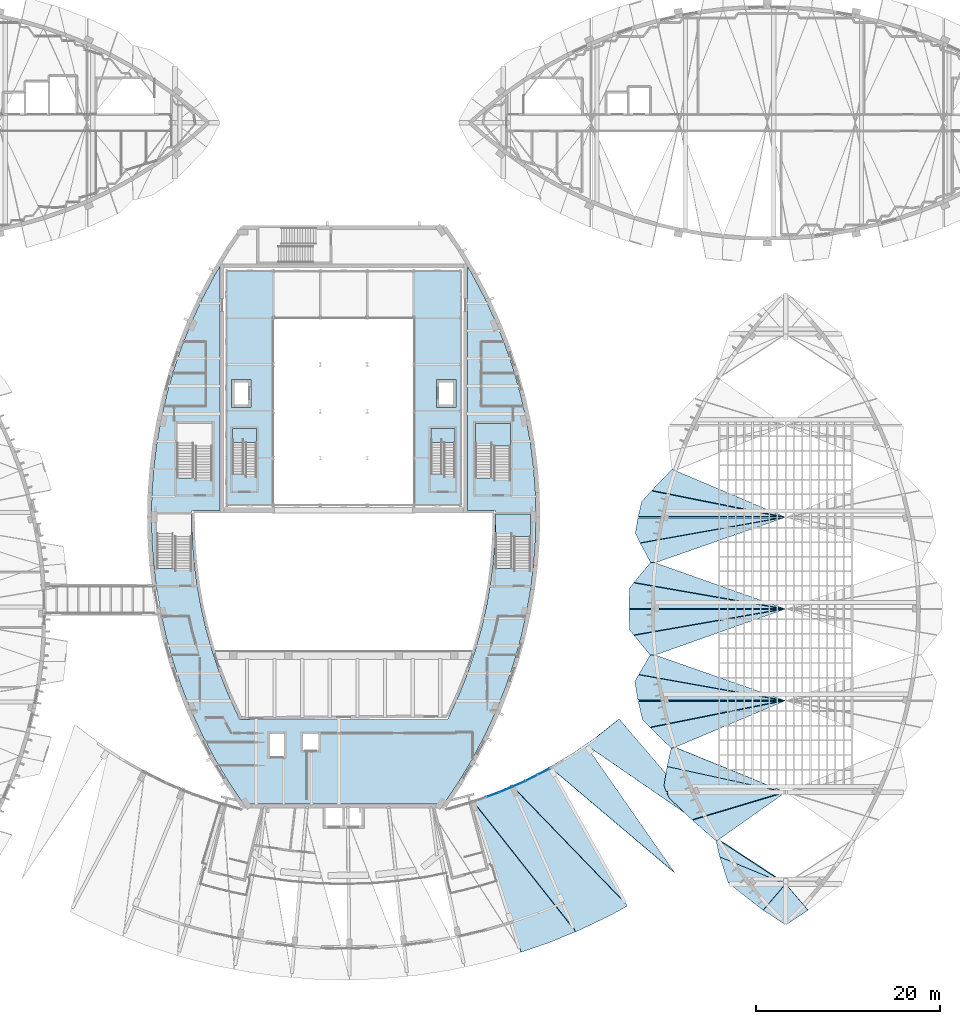
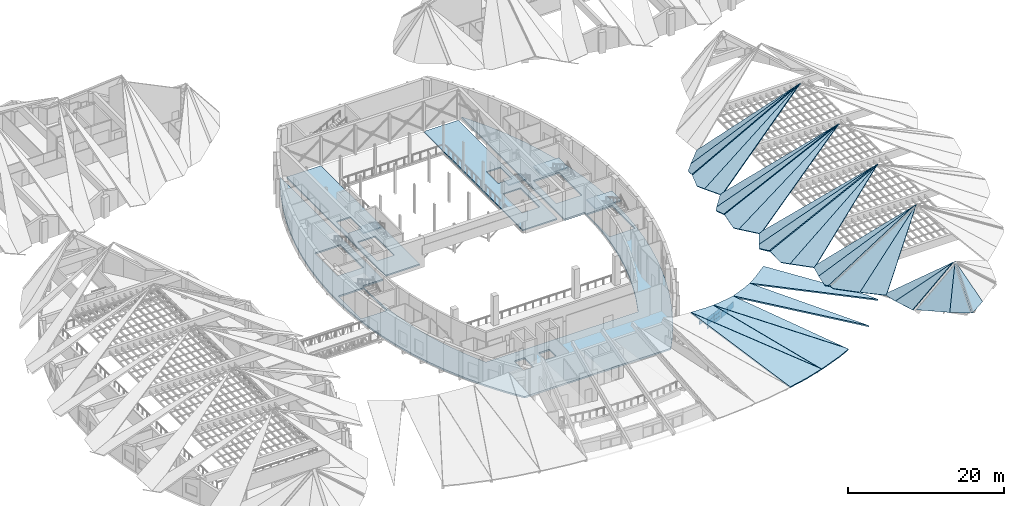
# One storey, part 23 of 56: 34 slabs, 9 plates, 7 elements without a shape of their own.
"""IFC4 building model written with IfcOpenShell, lengths in metres."""

from ifc_helpers import new_model, si_unit, direction, frame, origin, origin_2d, place, context, subcontext, project, spatial, polyline, rectangle, outline, extrude, material, layer, layer_set, type_object, element, aggregate, save


model = new_model("IFC4")

# Units and contexts
model_context = context("Model", 3, precision=1e-05, world=origin(), true_north=direction((0.0, 1.0)))
body_context = subcontext(model_context, "Body", "Model", "MODEL_VIEW")
ifc_project = project(units=[si_unit("LENGTHUNIT", "METRE"), si_unit("AREAUNIT", "SQUARE_METRE"), si_unit("VOLUMEUNIT", "CUBIC_METRE"), si_unit("PLANEANGLEUNIT", "RADIAN"), si_unit("MASSUNIT", "GRAM", prefix="KILO")], contexts=[model_context])

# Site, building, storey
site_placement = place(None, origin())
site = spatial("IfcSite", under=ifc_project, at=site_placement, CompositionType="ELEMENT")
building_placement = place(site_placement, origin())
building = spatial("IfcBuilding", under=site, at=building_placement, Name="Tide Square Theatres", CompositionType="ELEMENT")
storey_placement = place(building_placement, frame((0.0, 0.0, 10.199951171875)))
storey = spatial("IfcBuildingStorey", under=building, at=storey_placement, Name="L02", CompositionType="ELEMENT", Elevation=10.199951171875)

# Curtain wall, plates
ifc_material_1 = material(Name="Aluminium 6063-T5", Category="aluminium")
curtain_wall_type_1 = type_object("IfcCurtainWallType", Name="Stick system curtain wall 1200 high", PredefinedType="USERDEFINED", material=ifc_material_1)
curtain_wall_1_placement = place(storey_placement, origin())
curtain_wall_1 = element("IfcCurtainWall", 1, at=curtain_wall_1_placement, inside=storey, type_object=curtain_wall_type_1, Name="Foyer inner curtain wall", ObjectType="STICK SYSTEM", PredefinedType="USERDEFINED")
ifc_material_2 = material(Name="Double-glazed unit with aluminium frame", Category="aluminium")
ifc_layer_1 = layer(ifc_material_2, 0.030029296875)
ifc_layer_set_1 = layer_set([ifc_layer_1], Name="Double-glazed unit with aluminium frame")
plate_type = type_object("IfcPlateType", Name="Curtain wall panel 30 thick", PredefinedType="CURTAIN_PANEL", material=ifc_layer_set_1)
plate_1_placement = place(storey_placement, frame((105.711669921875, 27.325927734375, 0.05029296875), z_axis=(0.0, 0.0, 1.0), x_axis=(-0.889690625476, -0.456563895791, 0.0)))
plate_1 = element("IfcPlate", 2, at=plate_1_placement, type_object=plate_type, Name="CW-07 panel 1.1", PredefinedType="CURTAIN_PANEL", context=body_context, shape_type="SweptSolid", body=[
    extrude(rectangle(XDim=1.44384765625, YDim=0.030029296875, at=origin_2d()), origin(), (0.0, 0.0, 1.0), 0.967529296875),
])
plate_2_placement = place(storey_placement, frame((104.38232421875, 26.643798828125, 0.05029296875), z_axis=(0.0, 0.0, 1.0), x_axis=(-0.889690625476, -0.456563895791, 0.0)))
plate_2 = element("IfcPlate", 3, at=plate_2_placement, type_object=plate_type, Name="CW-07 panel 2.1", PredefinedType="CURTAIN_PANEL", context=body_context, shape_type="SweptSolid", body=[
    extrude(rectangle(XDim=1.44384765625, YDim=0.030029296875, at=origin_2d()), origin(), (0.0, 0.0, 1.0), 0.967529296875),
])
aggregate(curtain_wall_1, [plate_1, plate_2])

ifc_material_3 = material(Name="Aluminium 6063-T5", Category="aluminium")
curtain_wall_type_2 = type_object("IfcCurtainWallType", Name="Stick system curtain wall 1800 high", PredefinedType="USERDEFINED", material=ifc_material_3)
curtain_wall_2_placement = place(storey_placement, origin())
curtain_wall_2 = element("IfcCurtainWall", 4, at=curtain_wall_2_placement, inside=storey, type_object=curtain_wall_type_2, Name="Foyer inner curtain wall", ObjectType="STICK SYSTEM", PredefinedType="USERDEFINED")
plate_3_placement = place(storey_placement, frame((102.987060546875, 25.98486328125, 0.0498046875), z_axis=(0.0, 0.0, 1.0), x_axis=(-0.917827215549, -0.396980103276, 0.0)))
plate_3 = element("IfcPlate", 5, at=plate_3_placement, type_object=plate_type, Name="CW-08 panel 1.1", PredefinedType="CURTAIN_PANEL", context=body_context, shape_type="SweptSolid", body=[
    extrude(rectangle(XDim=1.44384765625, YDim=0.030029296875, at=origin_2d()), origin(), (0.0, 0.0, 1.0), 0.548583984375),
])
plate_4_placement = place(storey_placement, frame((102.987060546875, 25.98486328125, 0.6484375), z_axis=(0.0, 0.0, 1.0), x_axis=(-0.917827215549, -0.396980103276, 0.0)))
plate_4 = element("IfcPlate", 6, at=plate_4_placement, type_object=plate_type, Name="CW-08 panel 1.2", PredefinedType="CURTAIN_PANEL", context=body_context, shape_type="SweptSolid", body=[
    extrude(rectangle(XDim=1.44384765625, YDim=0.030029296875, at=origin_2d()), origin(), (0.0, 0.0, 1.0), 0.573486328125),
])
plate_5_placement = place(storey_placement, frame((102.987060546875, 25.98486328125, 1.27197265625), z_axis=(0.0, 0.0, 1.0), x_axis=(-0.917827215549, -0.396980103276, 0.0)))
plate_5 = element("IfcPlate", 7, at=plate_5_placement, type_object=plate_type, Name="CW-08 panel 1.3", PredefinedType="CURTAIN_PANEL", context=body_context, shape_type="SweptSolid", body=[
    extrude(rectangle(XDim=1.44384765625, YDim=0.030029296875, at=origin_2d()), origin(), (0.0, 0.0, 1.0), 0.54833984375),
])
plate_6_placement = place(storey_placement, frame((101.615966796875, 25.391845703125, 0.0498046875), z_axis=(0.0, 0.0, 1.0), x_axis=(-0.917827215549, -0.396980103276, 0.0)))
plate_6 = element("IfcPlate", 8, at=plate_6_placement, type_object=plate_type, Name="CW-08 panel 2.1", PredefinedType="CURTAIN_PANEL", context=body_context, shape_type="SweptSolid", body=[
    extrude(rectangle(XDim=1.44384765625, YDim=0.030029296875, at=origin_2d()), origin(), (0.0, 0.0, 1.0), 0.548583984375),
])
plate_7_placement = place(storey_placement, frame((101.615966796875, 25.391845703125, 0.6484375), z_axis=(0.0, 0.0, 1.0), x_axis=(-0.917827215549, -0.396980103276, 0.0)))
plate_7 = element("IfcPlate", 9, at=plate_7_placement, type_object=plate_type, Name="CW-08 panel 2.2", PredefinedType="CURTAIN_PANEL", context=body_context, shape_type="SweptSolid", body=[
    extrude(rectangle(XDim=1.44384765625, YDim=0.030029296875, at=origin_2d()), origin(), (0.0, 0.0, 1.0), 0.573486328125),
])
plate_8_placement = place(storey_placement, frame((101.615966796875, 25.391845703125, 1.27197265625), z_axis=(0.0, 0.0, 1.0), x_axis=(-0.917827215549, -0.396980103276, 0.0)))
plate_8 = element("IfcPlate", 10, at=plate_8_placement, type_object=plate_type, Name="CW-08 panel 2.3", PredefinedType="CURTAIN_PANEL", context=body_context, shape_type="SweptSolid", body=[
    extrude(rectangle(XDim=1.44384765625, YDim=0.030029296875, at=origin_2d()), origin(), (0.0, 0.0, 1.0), 0.54833984375),
])
aggregate(curtain_wall_2, [plate_3, plate_4, plate_5, plate_6, plate_7, plate_8])

# Curtain wall, plate
ifc_material_4 = material(Name="Aluminium 6063-T5", Category="aluminium")
curtain_wall_type_3 = type_object("IfcCurtainWallType", Name="Stick system curtain wall 2400 high", PredefinedType="USERDEFINED", material=ifc_material_4)
curtain_wall_3_placement = place(storey_placement, origin())
curtain_wall_3 = element("IfcCurtainWall", 11, at=curtain_wall_3_placement, inside=storey, type_object=curtain_wall_type_3, Name="Foyer inner curtain wall", ObjectType="STICK SYSTEM", PredefinedType="USERDEFINED")
plate_9_placement = place(storey_placement, frame((100.18017578125, 24.826171875, 1.5625), z_axis=(0.0, 0.0, 1.0), x_axis=(-0.941960664039, -0.335723260146, 0.0)))
plate_9 = element("IfcPlate", 12, at=plate_9_placement, type_object=plate_type, Name="CW-09 panel 1.3", PredefinedType="CURTAIN_PANEL", context=body_context, shape_type="SweptSolid", body=[
    extrude(rectangle(XDim=1.44384765625, YDim=0.030029296875, at=origin_2d()), origin(), (0.0, 0.0, 1.0), 0.693603515625),
])
aggregate(curtain_wall_3, [plate_9])

# Slabs
ifc_material_5 = material(Name="Concrete C35", Category="concrete")
ifc_layer_2 = layer(ifc_material_5, 0.199951171875)
ifc_layer_set_2 = layer_set([ifc_layer_2], Name="Concrete C35")
slab_type_1 = type_object("IfcSlabType", Name="RC floor slab 200", PredefinedType="FLOOR", material=ifc_layer_set_2)
slab_1_placement = place(storey_placement, frame((0.0, 0.0, -0.199951171875)))
element("IfcSlab", 13, at=slab_1_placement, inside=storey, type_object=slab_type_1, Name="Fly gallery floor", PredefinedType="FLOOR", context=body_context, shape_type="SweptSolid", body=[
    extrude(outline(polyline([(76.365478515625, 56.27587890625), (76.365478515625, 81.72412109375), (71.27587890625, 81.72412109375), (71.27587890625, 56.27587890625), (76.365478515625, 56.27587890625)]), holes=[polyline([(71.926025390625, 59.62158203125), (74.52587890625, 59.62158203125), (74.52587890625, 64.575927734375), (71.926025390625, 64.575927734375), (71.926025390625, 59.62158203125)]), polyline([(71.825927734375, 66.89990234375), (73.926025390625, 66.89990234375), (73.926025390625, 69.89990234375), (71.825927734375, 69.89990234375), (71.825927734375, 66.89990234375)])]), origin(), (0.0, 0.0, 1.0), 0.199951171875),
])
slab_2_placement = place(storey_placement, frame((0.0, 0.0, -0.199951171875)))
element("IfcSlab", 14, at=slab_2_placement, inside=storey, type_object=slab_type_1, Name="Fly gallery floor", PredefinedType="FLOOR", context=body_context, shape_type="SweptSolid", body=[
    extrude(outline(polyline([(96.72412109375, 56.27587890625), (96.72412109375, 81.72412109375), (91.634521484375, 81.72412109375), (91.634521484375, 56.27587890625), (96.72412109375, 56.27587890625)]), holes=[polyline([(93.47412109375, 59.62158203125), (96.073974609375, 59.62158203125), (96.073974609375, 64.575927734375), (93.47412109375, 64.575927734375), (93.47412109375, 59.62158203125)]), polyline([(94.073974609375, 66.89990234375), (96.174072265625, 66.89990234375), (96.174072265625, 69.89990234375), (94.073974609375, 69.89990234375), (94.073974609375, 66.89990234375)])]), origin(), (0.0, 0.0, 1.0), 0.199951171875),
])
ifc_material_6 = material(Name="Concrete C35", Category="concrete")
ifc_layer_3 = layer(ifc_material_6, 0.25)
ifc_layer_set_3 = layer_set([ifc_layer_3], Name="Concrete C35")
slab_type_2 = type_object("IfcSlabType", Name="RC floor slab 250", PredefinedType="FLOOR", material=ifc_layer_set_3)
slab_3_placement = place(storey_placement, frame((0.0, 0.0, -0.25)))
element("IfcSlab", 15, at=slab_3_placement, inside=storey, type_object=slab_type_2, Name="Floor slab", PredefinedType="FLOOR", context=body_context, shape_type="SweptSolid", body=[
    extrude(outline(polyline([(64.75048828125, 41.8671875), (65.490478515625, 39.22802734375), (66.364501953125, 36.63037109375), (67.3701171875, 34.081298828125), (68.622802734375, 31.345703125), (70.02685546875, 28.685302734375), (71.578125, 26.107666015625), (73.14501953125, 23.8076171875), (94.85498046875, 23.8076171875), (96.421875, 26.107666015625), (97.97314453125, 28.685302734375), (99.377197265625, 31.345703125), (100.6298828125, 34.081298828125), (101.635498046875, 36.63037109375), (102.509521484375, 39.22802734375), (103.24951171875, 41.8671875), (103.853515625, 44.540771484375), (104.303955078125, 47.13330078125), (104.62646484375, 49.744873046875), (104.8203125, 52.369384765625), (104.885009765625, 55.0), (104.8203125, 57.630615234375), (104.62646484375, 60.255126953125), (104.303955078125, 62.86669921875), (103.853515625, 65.459228515625), (103.24951171875, 68.1328125), (102.509521484375, 70.77197265625), (101.635498046875, 73.36962890625), (100.6298828125, 75.918701171875), (99.377197265625, 78.654296875), (97.97314453125, 81.314697265625), (97.449951171875, 82.18408203125), (97.449951171875, 55.699951171875), (100.46630859375, 55.699951171875), (100.483642578125, 55.0), (100.42431640625, 52.58544921875), (100.246337890625, 50.1767578125), (99.9501953125, 47.77978515625), (99.537353515625, 45.402587890625), (98.982421875, 42.946533203125), (98.303466796875, 40.5244140625), (97.501220703125, 38.140380859375), (96.580322265625, 35.805908203125), (95.42822265625, 33.2900390625), (95.275146484375, 33.0), (72.724853515625, 33.0), (72.57177734375, 33.2900390625), (71.419677734375, 35.805908203125), (70.498779296875, 38.140380859375), (69.696533203125, 40.5244140625), (69.017578125, 42.946533203125), (68.462646484375, 45.402587890625), (68.0498046875, 47.77978515625), (67.753662109375, 50.1767578125), (67.57568359375, 52.58544921875), (67.516357421875, 55.0), (67.53369140625, 55.699951171875), (70.550048828125, 55.699951171875), (70.550048828125, 82.18408203125), (70.02685546875, 81.314697265625), (68.622802734375, 78.654296875), (67.3701171875, 75.918701171875), (66.364501953125, 73.36962890625), (65.490478515625, 70.77197265625), (64.75048828125, 68.1328125), (64.146484375, 65.459228515625), (63.696044921875, 62.86669921875), (63.37353515625, 60.255126953125), (63.1796875, 57.630615234375), (63.114990234375, 55.0), (63.1796875, 52.369384765625), (63.37353515625, 49.744873046875), (63.696044921875, 47.13330078125), (64.146484375, 44.540771484375), (64.75048828125, 41.8671875)]), holes=[polyline([(65.89990234375, 59.24560546875), (69.699951171875, 59.24560546875), (69.699951171875, 65.14990234375), (65.89990234375, 65.14990234375), (65.89990234375, 59.24560546875)]), polyline([(98.300048828125, 65.14990234375), (98.300048828125, 59.24560546875), (102.10009765625, 59.24560546875), (102.10009765625, 65.14990234375), (98.300048828125, 65.14990234375)]), polyline([(67.5, 55.300048828125), (63.699951171875, 55.300048828125), (63.699951171875, 49.395751953125), (67.5, 49.395751953125), (67.5, 55.300048828125)]), polyline([(104.300048828125, 49.395751953125), (104.300048828125, 55.300048828125), (100.5, 55.300048828125), (100.5, 49.395751953125), (104.300048828125, 49.395751953125)]), polyline([(76.0, 31.39990234375), (76.0, 29.0), (77.5, 29.0), (77.5, 31.39990234375), (76.0, 31.39990234375)]), polyline([(81.25, 31.39990234375), (79.60009765625, 31.39990234375), (79.60009765625, 29.699951171875), (81.25, 29.699951171875), (81.25, 31.39990234375)])]), origin(), (0.0, 0.0, 1.0), 0.25),
])

# Stair, slab
ifc_material_7 = material(Name="Concrete C35", Category="concrete")
stair_type_1 = type_object("IfcStairType", Name="Stair half turn 1800 wide, 28 risers, rise 4600", PredefinedType="HALF_TURN_STAIR", material=ifc_material_7)
stair_1_placement = place(storey_placement, origin())
stair_1 = element("IfcStair", 16, at=stair_1_placement, inside=storey, type_object=stair_type_1, Name="Main Theatre East Stair", PredefinedType="HALF_TURN_STAIR")
ifc_material_8 = material(Name="Concrete C35", Category="concrete")
ifc_layer_4 = layer(ifc_material_8, 0.199951171875)
ifc_layer_set_4 = layer_set([ifc_layer_4], Name="Concrete C35")
slab_type_3 = type_object("IfcSlabType", Name="RC landing slab 200", PredefinedType="LANDING", material=ifc_layer_set_4)
slab_4_placement = place(storey_placement, frame((0.0, 0.0, 2.10009765625)))
slab_4 = element("IfcSlab", 17, at=slab_4_placement, type_object=slab_type_3, Name="ST-1800-4600 landing 1", PredefinedType="LANDING", context=body_context, shape_type="SweptSolid", body=[
    extrude(outline(polyline([(102.10009765625, 62.719970703125), (102.10009765625, 65.14990234375), (98.300048828125, 65.14990234375), (98.300048828125, 62.719970703125), (102.10009765625, 62.719970703125)])), origin(), (0.0, 0.0, 1.0), 0.199951171875),
])
aggregate(stair_1, [slab_4])

stair_2_placement = place(storey_placement, origin())
stair_2 = element("IfcStair", 18, at=stair_2_placement, inside=storey, type_object=stair_type_1, Name="Main Theatre East Circle Stair", PredefinedType="HALF_TURN_STAIR")
slab_5_placement = place(storey_placement, frame((0.0, 0.0, 2.10009765625)))
slab_5 = element("IfcSlab", 19, at=slab_5_placement, type_object=slab_type_3, Name="ST-1800-4600 landing 1", PredefinedType="LANDING", context=body_context, shape_type="SweptSolid", body=[
    extrude(outline(polyline([(104.300048828125, 52.8701171875), (104.300048828125, 55.300048828125), (100.5, 55.300048828125), (100.5, 52.8701171875), (104.300048828125, 52.8701171875)])), origin(), (0.0, 0.0, 1.0), 0.199951171875),
])
aggregate(stair_2, [slab_5])

ifc_material_9 = material(Name="Concrete C35", Category="concrete")
stair_type_2 = type_object("IfcStairType", Name="Stair half turn 1200 wide, 28 risers, rise 4600", PredefinedType="HALF_TURN_STAIR", material=ifc_material_9)
stair_3_placement = place(storey_placement, origin())
stair_3 = element("IfcStair", 20, at=stair_3_placement, inside=storey, type_object=stair_type_2, Name="Fly Tower west stair", PredefinedType="HALF_TURN_STAIR")
slab_6_placement = place(storey_placement, frame((0.0, 0.0, 2.10009765625)))
slab_6 = element("IfcSlab", 21, at=slab_6_placement, type_object=slab_type_3, Name="ST-1200-4600 landing 1", PredefinedType="LANDING", context=body_context, shape_type="SweptSolid", body=[
    extrude(outline(polyline([(74.52587890625, 63.095947265625), (74.52587890625, 64.575927734375), (71.926025390625, 64.575927734375), (71.926025390625, 63.095947265625), (74.52587890625, 63.095947265625)])), origin(), (0.0, 0.0, 1.0), 0.199951171875),
])
aggregate(stair_3, [slab_6])

stair_4_placement = place(storey_placement, origin())
stair_4 = element("IfcStair", 22, at=stair_4_placement, inside=storey, type_object=stair_type_2, Name="Fly Tower east stair", PredefinedType="HALF_TURN_STAIR")
slab_7_placement = place(storey_placement, frame((0.0, 0.0, 2.10009765625)))
slab_7 = element("IfcSlab", 23, at=slab_7_placement, type_object=slab_type_3, Name="ST-1200-4600 landing 1", PredefinedType="LANDING", context=body_context, shape_type="SweptSolid", body=[
    extrude(outline(polyline([(96.073974609375, 63.095947265625), (96.073974609375, 64.575927734375), (93.47412109375, 64.575927734375), (93.47412109375, 63.095947265625), (96.073974609375, 63.095947265625)])), origin(), (0.0, 0.0, 1.0), 0.199951171875),
])
aggregate(stair_4, [slab_7])

# Slabs
ifc_material_10 = material(Name="Concrete C40", Category="concrete")
ifc_layer_5 = layer(ifc_material_10, 0.199951171875)
ifc_layer_set_5 = layer_set([ifc_layer_5], Name="Concrete C40")
slab_type_4 = type_object("IfcSlabType", Name="RC roof slab 200", PredefinedType="ROOF", material=ifc_layer_set_5)
slab_8_placement = place(storey_placement, frame((109.156982421875, 9.927978515625, 0.14404296875), z_axis=(0.1612689878, -0.158663096227, 0.974073064749), x_axis=(-0.388694080944, 0.89700739483, 0.210462930369)))
element("IfcSlab", 24, at=slab_8_placement, inside=storey, type_object=slab_type_4, Name="Foyer roof plate foyer-S10a", PredefinedType="ROOF", context=body_context, shape_type="SweptSolid", body=[
    extrude(outline(polyline([(0.0, 0.0), (0.2305415318044035, -8.673617379884035e-19), (17.906649963125467, 4.586548276699806), (0.43612680892812306, 6.306737251422981), (0.12530487718602135, 3.1667574238775287), (0.0, 0.0)])), origin(), (0.0, 0.0, -1.0), 0.199951171875),
])
slab_9_placement = place(storey_placement, frame((100.861572265625, 25.20166015625, 3.40283203125), z_axis=(0.312702983257, -0.031764333228, 0.949319688723), x_axis=(-0.902494666829, -0.321574582421, 0.286519046986)))
element("IfcSlab", 25, at=slab_9_placement, inside=storey, type_object=slab_type_4, Name="Foyer roof plate foyer-S10b", PredefinedType="ROOF", context=body_context, shape_type="SweptSolid", body=[
    extrude(outline(polyline([(0.0, 0.0), (3.1620826366489325, 2.7755575615628914e-17), (-3.437853830571555, 16.907875326464094), (-1.5803133105779217, -0.10124740279219488), (0.0, 0.0)])), origin(), (0.0, 0.0, -1.0), 0.199951171875),
])
slab_10_placement = place(storey_placement, frame((114.807373046875, 12.732666015625, -0.39013671875), z_axis=(0.149417876297, -0.10838704504, 0.98281562193), x_axis=(-0.480365376575, 0.860834998388, 0.167964908649)))
element("IfcSlab", 26, at=slab_10_placement, inside=storey, type_object=slab_type_4, Name="Foyer roof plate foyer-S11a", PredefinedType="ROOF", context=body_context, shape_type="SweptSolid", body=[
    extrude(outline(polyline([(0.0, 0.0), (0.21948214544199995, 2.0816681711721685e-17), (17.72139404786134, 4.575987864773886), (0.3897187126237135, 6.300937322300111), (0.32088580580839454, 5.796277704308028), (0.0376882056185304, 2.110403136621453), (0.0, 0.0)])), origin(), (0.0, 0.0, -1.0), 0.199951171875),
])
slab_11_placement = place(storey_placement, frame((103.64208984375, 26.404541015625, 2.55322265625), z_axis=(0.275196366453, 0.018723243454, 0.961205701214), x_axis=(-0.885977489339, -0.383221421323, 0.26112301818)))
element("IfcSlab", 27, at=slab_11_placement, inside=storey, type_object=slab_type_4, Name="Foyer roof plate foyer-S11b", PredefinedType="ROOF", context=body_context, shape_type="SweptSolid", body=[
    extrude(outline(polyline([(0.0, 0.0), (1.5359888894668097, 8.326672684688674e-17), (-5.348994284117224, 16.6585214425008), (-3.1784234452425753, -0.20697977551227925), (-3.1267480966932255, -0.20013491468322714), (0.0, 0.0)])), origin(), (0.0, 0.0, -1.0), 0.199951171875),
])
slab_12_placement = place(storey_placement, frame((108.936279296875, 29.345458984375, 1.191162109375), z_axis=(0.196802349554, 0.023145127233, 0.980169953781), x_axis=(-0.843483211152, -0.505635488363, 0.181297615572)))
element("IfcSlab", 28, at=slab_12_placement, inside=storey, type_object=slab_type_4, Name="Foyer roof plate foyer-S12b", PredefinedType="ROOF", context=body_context, shape_type="SweptSolid", body=[
    extrude(outline(polyline([(0.0, 0.0), (3.001809716582861, 4.85722573273506e-17), (-3.0629194303720904, 16.849787483225708), (-1.6344519809176685, -0.10641558852230137), (0.0, 0.0)])), origin(), (0.0, 0.0, -1.0), 0.199951171875),
])
slab_13_placement = place(storey_placement, frame((113.91064453125, 33.05859375, 0.600341796875), z_axis=(0.10145629378, -0.025372740743, 0.994516387235), x_axis=(-0.73881812097, -0.67138336271, 0.058242290498)))
element("IfcSlab", 29, at=slab_13_placement, inside=storey, type_object=slab_type_4, Name="Foyer roof plate foyer-S13b", PredefinedType="ROOF", context=body_context, shape_type="SweptSolid", body=[
    extrude(outline(polyline([(0.0, 0.0), (0.15235833678982486, 7.48099499014998e-18), (3.1815278919282797, -0.2001374400570602), (4.577861355595641, -0.3853494530686512), (4.580051448783417, -0.36788455419616367), (0.7196859699248528, 15.789347813331466), (0.3613531226635031, 14.11304146759101), (0.344324681499391, 14.052002392133193), (0.0, 0.0)])), origin(), (0.0, 0.0, -1.0), 0.199951171875),
])
slab_14_placement = place(storey_placement, frame((124.84765625, 18.064697265625, 0.37451171875), z_axis=(-0.651841129726, -0.209992899881, 0.728701669819), x_axis=(0.306634505872, -0.951827337183, 0.0)))
element("IfcSlab", 30, at=slab_14_placement, inside=storey, type_object=slab_type_4, Name="Roof plate blackbox-P031", PredefinedType="ROOF", context=body_context, shape_type="SweptSolid", body=[
    extrude(outline(polyline([(0.0, 0.0), (2.9443262710539138, 0.0), (4.758455660895594, 7.727795903360273), (0.0, 0.0)])), origin(), (0.0, 0.0, -1.0), 0.199951171875),
])
slab_15_placement = place(storey_placement, frame((124.4375, 19.801513671875, 0.366455078125), z_axis=(-0.64371022527, -0.148574380427, 0.750708198546), x_axis=(0.224892683929, -0.974383538809, -3.610381e-06)))
element("IfcSlab", 31, at=slab_15_placement, inside=storey, type_object=slab_type_4, Name="Roof plate blackbox-P032", PredefinedType="ROOF", context=body_context, shape_type="SweptSolid", body=[
    extrude(outline(polyline([(0.0, 0.0), (1.7782163552744137, 5.551115123125783e-17), (6.257448792700898, 8.41480326627584), (-0.055987091283360414, 0.3536541832860694), (0.0, 0.0)])), origin(), (0.0, 0.0, -1.0), 0.199951171875),
])
slab_16_placement = place(storey_placement, frame((124.68359375, 19.915771484375, 0.60009765625), z_axis=(-0.450816222594, -0.516851838219, 0.727756079175), x_axis=(0.602385499842, 0.425495639296, 0.675340781028)))
element("IfcSlab", 32, at=slab_16_placement, inside=storey, type_object=slab_type_4, Name="Roof plate blackbox-P033", PredefinedType="ROOF", context=body_context, shape_type="SweptSolid", body=[
    extrude(outline(polyline([(0.0, 0.0), (12.14565541310974, -8.881784197001252e-16), (-0.9378154799697997, 3.413575608549816), (-0.3419384497553157, 0.04724600019937946), (0.0, 0.0)])), origin(), (0.0, 0.0, -1.0), 0.199951171875),
])
slab_17_placement = place(storey_placement, frame((119.343994140625, 24.486328125, 0.37109375), z_axis=(-0.468753755392, -0.48538371109, 0.738019355989), x_axis=(0.719305755696, -0.694693622665, -2.1265543e-05)))
element("IfcSlab", 33, at=slab_17_placement, inside=storey, type_object=slab_type_4, Name="Roof plate blackbox-P034", PredefinedType="ROOF", context=body_context, shape_type="SweptSolid", body=[
    extrude(outline(polyline([(0.0, 0.0), (3.50550750266216, 0.0), (8.514261831957173, 12.075247954446489), (-0.5149983174005421, 0.25928961846760035), (0.0, 0.0)])), origin(), (0.0, 0.0, -1.0), 0.199951171875),
])
slab_18_placement = place(storey_placement, frame((119.123291015625, 27.885986328125, 0.337890625), z_axis=(-0.534168637569, 0.085863986226, 0.841006089459), x_axis=(-0.158659547849, -0.987333351489, 3.022901e-05)))
element("IfcSlab", 34, at=slab_18_placement, inside=storey, type_object=slab_type_4, Name="Roof plate blackbox-P036", PredefinedType="ROOF", context=body_context, shape_type="SweptSolid", body=[
    extrude(outline(polyline([(0.0, 0.0), (2.139149803525805, -5.551115123125783e-17), (2.6830900609080306, 0.3847707498479984), (0.6978006084324477, 15.0765159013952), (0.0, 0.0)])), origin(), (0.0, 0.0, -1.0), 0.199951171875),
])
slab_19_placement = place(storey_placement, frame((119.55908203125, 29.881103515625, 0.337646484375), z_axis=(-0.528002976657, 0.11532766139, 0.841375295073), x_axis=(-0.213476407939, -0.976948217732, -5.5891335e-05)))
element("IfcSlab", 35, at=slab_19_placement, inside=storey, type_object=slab_type_4, Name="Roof plate blackbox-P037", PredefinedType="ROOF", context=body_context, shape_type="SweptSolid", body=[
    extrude(outline(polyline([(0.0, 0.0), (2.0422093993858628, 0.0), (2.030459916575114, 15.662756672966234), (-0.18195094516573998, 0.48538482499043845), (0.0, 0.0)])), origin(), (0.0, 0.0, -1.0), 0.199951171875),
])
slab_20_placement = place(storey_placement, frame((132.0, 35.041748046875, 9.101318359375), z_axis=(-0.403536185551, -0.413358999378, 0.816267654991), x_axis=(-0.846688257301, -0.169451910769, -0.50438580956)))
element("IfcSlab", 36, at=slab_20_placement, inside=storey, type_object=slab_type_4, Name="Roof plate blackbox-P038", PredefinedType="ROOF", context=body_context, shape_type="SweptSolid", body=[
    extrude(outline(polyline([(0.0, 0.0), (17.36074305810989, 4.440892098500626e-16), (15.813847111125867, 2.7700650309113346), (15.309974188434825, 2.767168023244466), (0.0, 0.0)])), origin(), (0.0, 0.0, -1.0), 0.199951171875),
])
slab_21_placement = place(storey_placement, frame((116.44287109375, 33.002685546875, 0.343017578125), z_axis=(-0.412432877172, -0.389856001333, 0.823353763611), x_axis=(0.686978302391, -0.726677927605, 3.9699456e-05)))
element("IfcSlab", 37, at=slab_21_placement, inside=storey, type_object=slab_type_4, Name="Roof plate blackbox-P039", PredefinedType="ROOF", context=body_context, shape_type="SweptSolid", body=[
    extrude(outline(polyline([(0.0, 0.0), (1.2434502173172084, 1.1102230246251565e-16), (8.984341641305823, 15.002404333142552), (-1.7385998146402089, 1.2266579197152387), (0.0, 0.0)])), origin(), (0.0, 0.0, -1.0), 0.199951171875),
])
slab_22_placement = place(storey_placement, frame((116.03466796875, 37.88671875, 0.330322265625), z_axis=(-0.435167439676, 0.236351756479, 0.868773357473), x_axis=(-0.477309817991, -0.878735077919, -2.1999157e-05)))
element("IfcSlab", 38, at=slab_22_placement, inside=storey, type_object=slab_type_4, Name="Roof plate blackbox-P041", PredefinedType="ROOF", context=body_context, shape_type="SweptSolid", body=[
    extrude(outline(polyline([(0.0, 0.0), (0.8940691021952729, -5.551115123125783e-17), (2.4687785057055778, 1.4313012202411177), (-4.9733945014761085, 17.20164615596464), (0.0, 0.0)])), origin(), (0.0, 0.0, -1.0), 0.199951171875),
])
slab_23_placement = place(storey_placement, frame((117.28662109375, 39.980712890625, 0.3310546875), z_axis=(-0.429854542753, 0.256624888477, 0.865660868175), x_axis=(-0.512619740246, -0.858615747458, -1.1267245e-05)))
element("IfcSlab", 39, at=slab_23_placement, inside=storey, type_object=slab_type_4, Name="Roof plate blackbox-P042", PredefinedType="ROOF", context=body_context, shape_type="SweptSolid", body=[
    extrude(outline(polyline([(0.0, 0.0), (2.4393805681112686, 0.0), (-3.301794298787824, 17.518349575498927), (-0.2924938600892361, 0.5373463919770096), (0.0, 0.0)])), origin(), (0.0, 0.0, -1.0), 0.199951171875),
])
slab_24_placement = place(storey_placement, frame((117.8359375, 39.993408203125, 0.60009765625), z_axis=(-0.40777862309, -0.337579333042, 0.848384811541), x_axis=(0.813530750993, 0.287558831932, 0.505447955152)))
element("IfcSlab", 40, at=slab_24_placement, inside=storey, type_object=slab_type_4, Name="Roof plate blackbox-P043", PredefinedType="ROOF", context=body_context, shape_type="SweptSolid", body=[
    extrude(outline(polyline([(0.0, 0.0), (17.41055677721421, 1.1102230246251565e-15), (-1.403318529088045, 2.827081751078123), (-0.5761642078983352, 0.1709225138608735), (0.0, 0.0)])), origin(), (0.0, 0.0, -1.0), 0.199951171875),
])
slab_25_placement = place(storey_placement, frame((115.0380859375, 42.751953125, 0.33447265625), z_axis=(-0.413986290526, -0.317197234357, 0.853229902062), x_axis=(0.608203472051, -0.79378116416, 3.175374e-06)))
element("IfcSlab", 41, at=slab_25_placement, inside=storey, type_object=slab_type_4, Name="Roof plate blackbox-P044", PredefinedType="ROOF", context=body_context, shape_type="SweptSolid", body=[
    extrude(outline(polyline([(0.0, 0.0), (0.7919853388838701, -1.6653345369377348e-16), (8.352686249012455, 16.980042999968042), (-1.7700071417324215, 1.4961251006167198), (0.0, 0.0)])), origin(), (0.0, 0.0, -1.0), 0.199951171875),
])
slab_26_placement = place(storey_placement, frame((115.519775390625, 47.876708984375, 0.33447265625), z_axis=(-0.413986290526, 0.317197234357, 0.853229902062), x_axis=(-0.608203472051, -0.79378116416, -3.175374e-06)))
element("IfcSlab", 42, at=slab_26_placement, inside=storey, type_object=slab_type_4, Name="Roof plate blackbox-P046", PredefinedType="ROOF", context=body_context, shape_type="SweptSolid", body=[
    extrude(outline(polyline([(0.0, 0.0), (0.7919853388838701, 1.6653345369377348e-16), (2.5619924806162917, 1.49612510061672), (-7.560700910128584, 16.98004299996804), (0.0, 0.0)])), origin(), (0.0, 0.0, -1.0), 0.199951171875),
])
slab_27_placement = place(storey_placement, frame((117.3232421875, 50.051513671875, 0.335693359375), z_axis=(-0.407778271797, 0.33757890965, 0.848385148862), x_axis=(-0.637719822461, -0.77026841255, -2.5832899e-05)))
element("IfcSlab", 43, at=slab_27_placement, inside=storey, type_object=slab_type_4, Name="Roof plate blackbox-P047", PredefinedType="ROOF", context=body_context, shape_type="SweptSolid", body=[
    extrude(outline(polyline([(0.0, 0.0), (2.8241090542283205, 4.440892098500626e-16), (-5.468872130581506, 17.122521961983022), (-0.29236089264856824, 0.4993087136971881), (0.0, 0.0)])), origin(), (0.0, 0.0, -1.0), 0.199951171875),
])
slab_28_placement = place(storey_placement, frame((132.0, 54.958251953125, 9.69873046875), z_axis=(-0.460849153849, -0.247698468619, 0.852210963342), x_axis=(-0.85036951586, -0.151528353482, -0.503895668355)))
element("IfcSlab", 44, at=slab_28_placement, inside=storey, type_object=slab_type_4, Name="Roof plate blackbox-P048", PredefinedType="ROOF", context=body_context, shape_type="SweptSolid", body=[
    extrude(outline(polyline([(0.0, 0.0), (18.583340920754026, -2.220446049250313e-16), (17.94449482928878, 2.2858837035792794), (17.379765543386227, 2.4224932439327636), (0.0, 0.0)])), origin(), (0.0, 0.0, -1.0), 0.199951171875),
])
slab_29_placement = place(storey_placement, frame((115.66650390625, 53.237548828125, 0.333984375), z_axis=(-0.466598118233, -0.225501151475, 0.855239981961), x_axis=(0.435074451295, -0.900394480297, -4.1008166e-05)))
element("IfcSlab", 45, at=slab_29_placement, inside=storey, type_object=slab_type_4, Name="Roof plate blackbox-P049", PredefinedType="ROOF", context=body_context, shape_type="SweptSolid", body=[
    extrude(outline(polyline([(0.0, 0.0), (1.2166287703854137, 1.1102230246251565e-16), (5.430034385175122, 17.543827097796743), (-1.352359540461208, 1.1309145523068247), (0.0, 0.0)])), origin(), (0.0, 0.0, -1.0), 0.199951171875),
])
slab_30_placement = place(storey_placement, frame((117.446044921875, 57.87109375, 0.34765625), z_axis=(-0.440739398825, 0.39132685885, 0.807844088836), x_axis=(-0.6639036847, -0.747818090042, 4.0593594e-05)))
element("IfcSlab", 46, at=slab_30_placement, inside=storey, type_object=slab_type_4, Name="Roof plate blackbox-P051", PredefinedType="ROOF", context=body_context, shape_type="SweptSolid", body=[
    extrude(outline(polyline([(0.0, 0.0), (1.6342688802628365, 1.1102230246251565e-16), (3.088659320406683, 0.9715510358349483), (-7.272495759163697, 15.41876805588046), (0.0, 0.0)])), origin(), (0.0, 0.0, -1.0), 0.199951171875),
])
slab_31_placement = place(storey_placement, frame((119.645751953125, 60.145751953125, 0.349853515625), z_axis=(-0.431120833363, 0.416122323904, 0.800610416238), x_axis=(-0.694511099839, -0.719481988079, -3.2084588e-05)))
element("IfcSlab", 47, at=slab_31_placement, inside=storey, type_object=slab_type_4, Name="Roof plate blackbox-P052", PredefinedType="ROOF", context=body_context, shape_type="SweptSolid", body=[
    extrude(outline(polyline([(0.0, 0.0), (3.1622740481117235, 4.440892098500626e-16), (-4.848149540430529, 15.602389155895636), (-0.1593430205092534, 0.4174628282407772), (0.0, 0.0)])), origin(), (0.0, 0.0, -1.0), 0.199951171875),
])
slab_32_placement = place(storey_placement, frame((132.095458984375, 10.732666015625, 0.45556640625), z_axis=(0.454892584477, -0.690472240964, 0.562424058026), x_axis=(0.83506454786, 0.550151979827, 0.0)))
element("IfcSlab", 48, at=slab_32_placement, inside=storey, type_object=slab_type_4, Name="Roof plate blackbox-P062", PredefinedType="ROOF", context=body_context, shape_type="SweptSolid", body=[
    extrude(outline(polyline([(0.0, 0.0), (2.8046227344058856, 0.0), (2.3550695347360944, 6.355902273658434), (0.0, 0.0)])), origin(), (0.0, 0.0, -1.0), 0.199951171875),
])
slab_33_placement = place(storey_placement, frame((129.5625, 12.275634765625, 0.45556640625), z_axis=(-0.454892584477, -0.690472240964, 0.562424058026), x_axis=(0.83506454786, -0.550151979827, 0.0)))
element("IfcSlab", 49, at=slab_33_placement, inside=storey, type_object=slab_type_4, Name="Roof plate blackbox-P063", PredefinedType="ROOF", context=body_context, shape_type="SweptSolid", body=[
    extrude(outline(polyline([(0.0, 0.0), (2.8046227344058856, 0.0), (0.44955319966979107, 6.355902273658434), (0.0, 0.0)])), origin(), (0.0, 0.0, -1.0), 0.199951171875),
])
slab_34_placement = place(storey_placement, frame((126.060302734375, 14.98828125, 0.4541015625), z_axis=(-0.505388987693, -0.652221904847, 0.564967749483), x_axis=(0.790463748329, -0.612508826531, 0.0)))
element("IfcSlab", 50, at=slab_34_placement, inside=storey, type_object=slab_type_4, Name="Roof plate blackbox-P064", PredefinedType="ROOF", context=body_context, shape_type="SweptSolid", body=[
    extrude(outline(polyline([(0.0, 0.0), (4.429942539145969, 0.0), (4.602482894017605, 6.312464078288514), (0.0, 0.0)])), origin(), (0.0, 0.0, -1.0), 0.199951171875),
])

save(model, "model.ifc")
